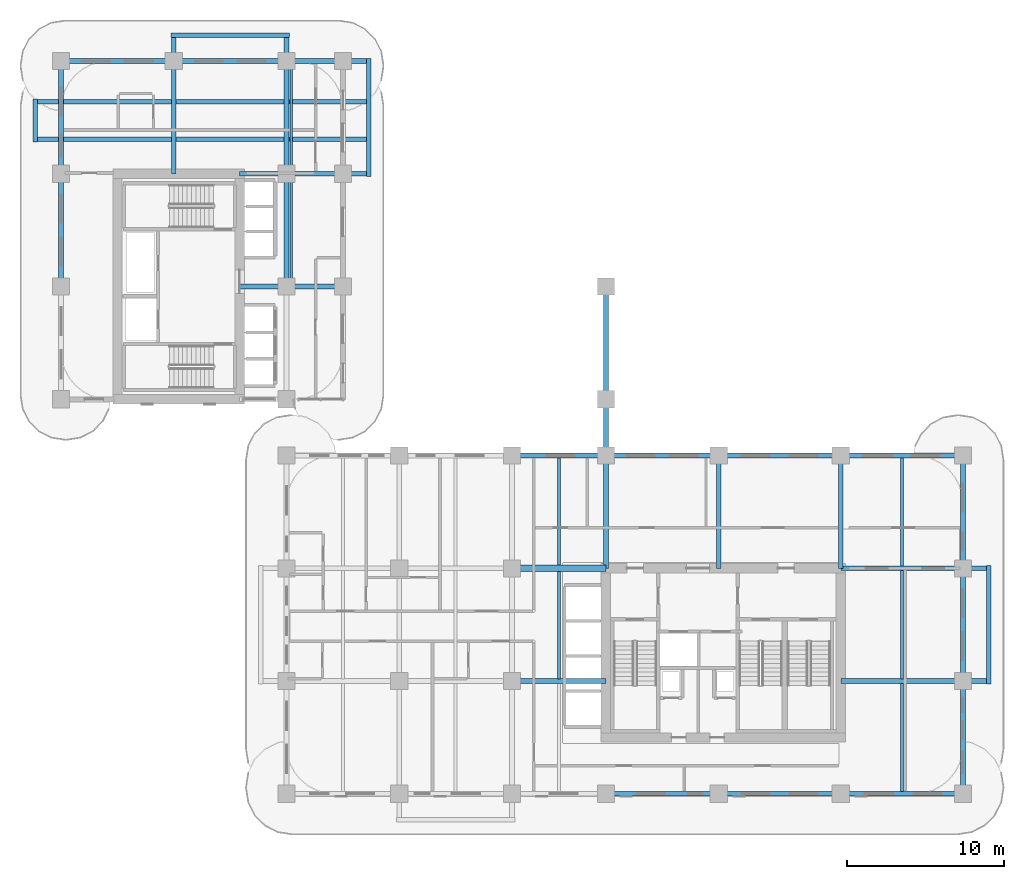
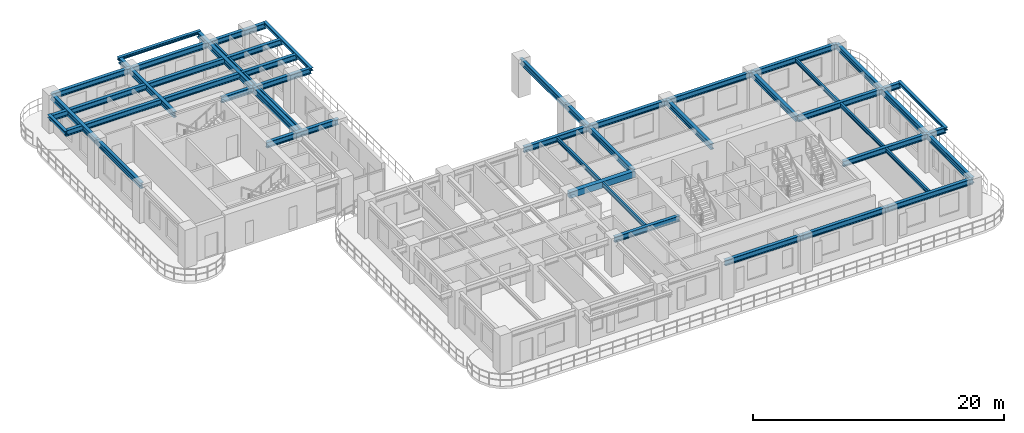
# One storey, part 3 of 19: 41 beams.
"""IFC4 building model written with IfcOpenShell, lengths in metres."""

import ifcopenshell
import ifcopenshell.guid

model = None  # the IFC model being written
_history = None  # IfcOwnerHistory: only IFC2X3 demands one
_inside = {}  # id of a spatial element -> (the spatial element, [elements in it])
_under = {}  # id of a project, library or spatial element -> (it, [spatial elements below it])
_declared = {}  # id of a project -> (the project, [libraries it declares])
_typed = {}  # id of a type object -> (the type object, [elements of that type])
_made_of = {}  # id of a material, layer set ... -> (it, [elements and type objects made of it])


def new_model(schema):
    """Start an empty IFC model of exactly this schema.

    Asked for "IFC4X3", IfcOpenShell would pick the latest addendum, in which some entities
    have other attributes; the version numbers below select the first issue.
    IFC2X3 requires an IfcOwnerHistory on every rooted entity: one is made here for all.
    """
    global model, _history
    if schema == "IFC4X3":
        model = ifcopenshell.file(schema_version=(4, 3, 0, 0))
    else:
        model = ifcopenshell.file(schema=schema)
    _inside.clear()
    _under.clear()
    _declared.clear()
    _typed.clear()
    _made_of.clear()
    _history = None
    if model.schema == "IFC2X3":
        org = make("IfcOrganization", Name="unknown")
        user = make(
            "IfcPersonAndOrganization",
            ThePerson=make("IfcPerson", FamilyName="unknown"),
            TheOrganization=org,
        )
        app = make(
            "IfcApplication",
            ApplicationDeveloper=org,
            Version="unknown",
            ApplicationFullName="unknown",
            ApplicationIdentifier="unknown",
        )
        _history = make(
            "IfcOwnerHistory",
            OwningUser=user,
            OwningApplication=app,
            ChangeAction="ADDED",
            CreationDate=0,
        )
    return model


def make(cls, **values):
    """One entity of the class cls with the attributes given. An attribute that is None is left unset."""
    return model.create_entity(
        cls, **{name: value for name, value in values.items() if value is not None}
    )


def rooted(cls, **values):
    """An entity with a GlobalId (a new one), such as an element, a storey or a relation."""
    return make(cls, GlobalId=ifcopenshell.guid.new(), OwnerHistory=_history, **values)


def si_unit(unit_type, name, prefix=None):
    """IfcSIUnit, for example si_unit("LENGTHUNIT", "METRE", prefix="MILLI")."""
    return make("IfcSIUnit", UnitType=unit_type, Prefix=prefix, Name=name)


def derived_unit(unit_type, elements):
    """IfcDerivedUnit: a product of units, each with its exponent."""
    return make(
        "IfcDerivedUnit",
        Elements=[
            make("IfcDerivedUnitElement", Unit=unit, Exponent=power)
            for unit, power in elements
        ],
        UnitType=unit_type,
    )


def assignment(units):
    """IfcUnitAssignment: the units of a project."""
    return None if units is None else make("IfcUnitAssignment", Units=units)


def point(xyz):
    """IfcCartesianPoint."""
    return None if xyz is None else make("IfcCartesianPoint", Coordinates=xyz)


def direction(xyz):
    """IfcDirection."""
    return None if xyz is None else make("IfcDirection", DirectionRatios=xyz)


def frame(location, z_axis=None, x_axis=None):
    """IfcAxis2Placement3D, a coordinate frame: its origin and axes. An axis left out is left unset."""
    return make(
        "IfcAxis2Placement3D",
        Location=point(location),
        Axis=direction(z_axis),
        RefDirection=direction(x_axis),
    )


def frame_2d(location, x_axis=None):
    """IfcAxis2Placement2D, a coordinate frame in the plane: its origin and x axis."""
    return make(
        "IfcAxis2Placement2D", Location=point(location), RefDirection=direction(x_axis)
    )


def origin():
    """The frame at (0, 0, 0) with its axes left unset."""
    return frame((0.0, 0.0, 0.0))


def origin_2d():
    """The frame at (0, 0) in the plane with its x axis left unset."""
    return frame_2d((0.0, 0.0))


def place(relative_to, where):
    """IfcLocalPlacement: puts the frame where relative to a parent placement (None: the world)."""
    return make(
        "IfcLocalPlacement", PlacementRelTo=relative_to, RelativePlacement=where
    )


def context(
    kind, dimensions, precision=None, world=None, true_north=None, identifier=None
):
    """IfcGeometricRepresentationContext, for example the 3D "Model" context."""
    return make(
        "IfcGeometricRepresentationContext",
        ContextIdentifier=identifier,
        ContextType=kind,
        CoordinateSpaceDimension=dimensions,
        Precision=precision,
        WorldCoordinateSystem=world,
        TrueNorth=true_north,
    )


def subcontext(parent, identifier, kind, view, scale=None):
    """IfcGeometricRepresentationSubContext, for example "Body" below "Model"."""
    return make(
        "IfcGeometricRepresentationSubContext",
        ContextIdentifier=identifier,
        ContextType=kind,
        ParentContext=parent,
        TargetScale=scale,
        TargetView=view,
    )


def project(units=None, contexts=None):
    """IfcProject with its units and contexts."""
    return rooted(
        "IfcProject",
        Name="project",
        RepresentationContexts=contexts,
        UnitsInContext=assignment(units),
    )


def spatial(cls, under=None, at=None, **own):
    """A site, building, storey or space (cls), placed at a placement, below another one or the project."""
    s = rooted(cls, ObjectPlacement=at, **own)
    if under is not None:
        _under.setdefault(under.id(), (under, []))[1].append(s)
    return s


def profile(cls, at=None, kind="AREA", **sizes):
    """A parametric profile (cls). Its sizes go by their IFC names, for example OverallWidth=200.0."""
    return make(cls, ProfileType=kind, Position=at, **sizes)


def rectangle(**sizes):
    """IfcRectangleProfileDef."""
    return profile("IfcRectangleProfileDef", **sizes)


def i_section(**sizes):
    """IfcIShapeProfileDef."""
    return profile("IfcIShapeProfileDef", **sizes)


def extrude(swept, where, along, depth):
    """IfcExtrudedAreaSolid: the profile swept, set in the frame where, extruded along a direction by depth."""
    return make(
        "IfcExtrudedAreaSolid",
        SweptArea=swept,
        Position=where,
        ExtrudedDirection=direction(along),
        Depth=depth,
    )


def shape(context_of_items, identifier, shape_type, items):
    """IfcShapeRepresentation: the items that make up one representation, for example the "Body"."""
    return make(
        "IfcShapeRepresentation",
        ContextOfItems=context_of_items,
        RepresentationIdentifier=identifier,
        RepresentationType=shape_type,
        Items=items,
    )


def source(mapping_origin, context_of_items, identifier, shape_type, items):
    """IfcRepresentationMap: a shape defined once, which mapped items show again and again."""
    return make(
        "IfcRepresentationMap",
        MappingOrigin=mapping_origin,
        MappedRepresentation=shape(context_of_items, identifier, shape_type, items),
    )


def transform(
    local_origin,
    x_axis=None,
    y_axis=None,
    z_axis=None,
    scale=None,
    scale2=None,
    scale3=None,
    uniform=True,
):
    """IfcCartesianTransformationOperator3D, or its non-uniform kind. x_axis, y_axis, z_axis: its Axis1, 2, 3."""
    if uniform:
        return make(
            "IfcCartesianTransformationOperator3D",
            Axis1=direction(x_axis),
            Axis2=direction(y_axis),
            LocalOrigin=point(local_origin),
            Scale=scale,
            Axis3=direction(z_axis),
        )
    return make(
        "IfcCartesianTransformationOperator3DnonUniform",
        Axis1=direction(x_axis),
        Axis2=direction(y_axis),
        LocalOrigin=point(local_origin),
        Scale=scale,
        Axis3=direction(z_axis),
        Scale2=scale2,
        Scale3=scale3,
    )


def mapped(mapping_source, mapping_target):
    """IfcMappedItem: shows the shape of a source again, moved by a transform."""
    return make(
        "IfcMappedItem", MappingSource=mapping_source, MappingTarget=mapping_target
    )


def material(Name=None, Category=None):
    """IfcMaterial."""
    return make("IfcMaterial", Name=Name, Category=Category)


def material_profile(
    of_material, cross_section, Name=None, Category=None, Priority=None
):
    """IfcMaterialProfile: a cross section and its material."""
    return make(
        "IfcMaterialProfile",
        Name=Name,
        Material=of_material,
        Profile=cross_section,
        Priority=Priority,
        Category=Category,
    )


def profile_set(profiles, Name=None, composite=None):
    """IfcMaterialProfileSet."""
    return make(
        "IfcMaterialProfileSet",
        Name=Name,
        MaterialProfiles=profiles,
        CompositeProfile=composite,
    )


def made_of(thing, what):
    """Note that an element or type object is made of a material, layer set ...; save() writes the relation."""
    if what is not None:
        _made_of.setdefault(what.id(), (what, []))[1].append(thing)
    return thing


def type_object(cls, material=None, **own):
    """A type object (cls), such as IfcWallType, which elements share."""
    return made_of(rooted(cls, **own), material)


def type_shapes(of_type, sources):
    """Give a type object the sources (RepresentationMaps) that its elements show as mapped items."""
    of_type.RepresentationMaps = sources


def element(
    cls,
    number,
    at=None,
    inside=None,
    cuts=None,
    type_object=None,
    material=None,
    context=None,
    identifier="Body",
    shape_type=None,
    held_by="IfcProductDefinitionShape",
    body=None,
    shapes=None,
    **own,
):
    """One element of the class cls, such as IfcWall. Its Tag is "e" and its number.

    at: its placement. inside: the storey or other place that contains it. cuts: it is an
    opening in that element (IfcRelVoidsElement). A single representation is given by context,
    identifier, shape_type and body (its items); several are given by shapes. held_by: the class
    of the entity that holds the representations. save() writes the other relations.
    """
    e = rooted(cls, Tag="e%d" % number, ObjectPlacement=at, **own)
    if body is not None:
        shapes = [shape(context, identifier, shape_type, body)]
    if shapes is not None:
        e.Representation = make(held_by, Representations=shapes)
    if inside is not None:
        _inside.setdefault(inside.id(), (inside, []))[1].append(e)
    if cuts is not None:
        rooted(
            "IfcRelVoidsElement", RelatingBuildingElement=cuts, RelatedOpeningElement=e
        )
    if type_object is not None:
        _typed.setdefault(type_object.id(), (type_object, []))[1].append(e)
    return made_of(e, material)


def aggregate(whole, parts):
    """IfcRelAggregates: a whole, such as a stair, and the parts it consists of."""
    return rooted("IfcRelAggregates", RelatingObject=whole, RelatedObjects=parts)


def save(model, path):
    """Write the relations noted so far, then the file.

    IfcRelAggregates (storeys below a building ...), IfcRelContainedInSpatialStructure (elements
    in a storey), IfcRelDefinesByType, IfcRelAssociatesMaterial and IfcRelDeclares: one each for
    every whole, place, type object, material and project.
    """
    for whole, parts in _under.values():
        aggregate(whole, parts)
    for where, things in _inside.values():
        rooted(
            "IfcRelContainedInSpatialStructure",
            RelatedElements=things,
            RelatingStructure=where,
        )
    for kind, things in _typed.values():
        rooted("IfcRelDefinesByType", RelatedObjects=things, RelatingType=kind)
    for what, things in _made_of.values():
        rooted("IfcRelAssociatesMaterial", RelatedObjects=things, RelatingMaterial=what)
    for by, libraries in _declared.values():
        rooted("IfcRelDeclares", RelatingContext=by, RelatedDefinitions=libraries)
    model.write(path)


model = new_model("IFC4")

# Units and contexts
model_context = context("Model", 3, precision=1e-05, world=origin(), true_north=direction((0.0, 1.0)))
body_context = subcontext(model_context, "Body", "Model", "MODEL_VIEW")
ifc_project = project(units=[si_unit("LENGTHUNIT", "METRE"), si_unit("AREAUNIT", "SQUARE_METRE"), si_unit("VOLUMEUNIT", "CUBIC_METRE"), si_unit("PLANEANGLEUNIT", "RADIAN"), si_unit("MASSUNIT", "GRAM", prefix="KILO"), si_unit("THERMODYNAMICTEMPERATUREUNIT", "KELVIN"), si_unit("POWERUNIT", "WATT"), derived_unit("THERMALTRANSMITTANCEUNIT", [(si_unit("POWERUNIT", "WATT"), 1), (si_unit("AREAUNIT", "SQUARE_METRE"), -1), (si_unit("THERMODYNAMICTEMPERATUREUNIT", "KELVIN"), -1)])], contexts=[model_context])

# Site, building, storey
site_placement = place(None, origin())
site = spatial("IfcSite", under=ifc_project, at=site_placement, CompositionType="ELEMENT")
building_placement = place(site_placement, origin())
building = spatial("IfcBuilding", under=site, at=building_placement, Name="Zahravan Archway Hotel and Residences", CompositionType="ELEMENT")
storey_placement = place(building_placement, frame((0.0, 0.0, 47.199951171875)))
storey = spatial("IfcBuildingStorey", under=building, at=storey_placement, Name="L10", CompositionType="ELEMENT", Elevation=47.199951171875)

# Beams
ifc_material_1 = material(Name="Structural Steel S355JR", Category="steel")
ifc_material_profile_1 = material_profile(ifc_material_1, i_section(OverallWidth=0.280029296875, OverallDepth=0.280029296875, WebThickness=0.010498046875, FlangeThickness=0.01806640625, FilletRadius=0.02392578125, at=origin_2d()), Name="HEB 280", Category="steel")
ifc_profile_set_1 = profile_set([ifc_material_profile_1], Name="Structural Steel S355JR")
beam_type_1 = type_object("IfcBeamType", Name="BM-SPN-HEB280", PredefinedType="SPANDREL", material=ifc_profile_set_1)
shared_shape_1 = source(origin(), body_context, "Body", "SweptSolid", [
    extrude(i_section(OverallWidth=0.280029296875, OverallDepth=0.280029296875, WebThickness=0.010498046875, FlangeThickness=0.01806640625, FilletRadius=0.02392578125, at=origin_2d()), origin(), (0.0, 0.0, 1.0), 7.56005859375),
])
type_shapes(beam_type_1, [shared_shape_1])
for number, where, z_axis, x_axis, name in (
    (1, (59.25, 7.02001953125, 3.31005859375), (0.0, 1.0, 0.0), (-1.0, 0.0, 0.0), "L11 EA Balcony Edge Spandrel"),
    (2, (19.64990234375, 39.419921875, 3.31005859375), (0.0, 1.0, 0.0), (-1.0, 0.0, 0.0), "L11 EB Balcony Edge Spandrel"),
    (3, (7.02001953125, 48.449951171875, 3.31005859375), (1.0, 0.0, 0.0), (0.0, 1.0, 0.0), "L11 NB Balcony Edge Spandrel"),
):
    element("IfcBeam", number, at=place(storey_placement, frame(where, z_axis=z_axis, x_axis=x_axis)), inside=storey, type_object=beam_type_1, Name=name, PredefinedType="SPANDREL", context=body_context, shape_type="MappedRepresentation", body=[
        mapped(shared_shape_1, transform((0.0, 0.0, 0.0), scale=1.0)),
    ])
shared_shape_2 = source(origin(), body_context, "Body", "SweptSolid", [
    extrude(i_section(OverallWidth=0.280029296875, OverallDepth=0.280029296875, WebThickness=0.010498046875, FlangeThickness=0.01806640625, FilletRadius=0.02392578125, at=origin_2d()), origin(), (0.0, 0.0, 1.0), 2.759765625),
])
beam_1_placement = place(storey_placement, frame((-1.64990234375, 41.6201171875, 3.31005859375), z_axis=(0.0, 1.0, 0.0), x_axis=(-1.0, 0.0, 0.0)))
element("IfcBeam", 4, at=beam_1_placement, inside=storey, type_object=beam_type_1, Name="L11 WB Balcony Edge Spandrel", PredefinedType="SPANDREL", context=body_context, shape_type="MappedRepresentation", body=[
    mapped(shared_shape_2, transform((0.0, 0.0, 0.0), scale=1.0)),
])
ifc_material_2 = material(Name="Concrete C60/75", Category="concrete")
ifc_material_profile_2 = material_profile(ifc_material_2, rectangle(XDim=0.39990234375, YDim=0.60009765625, at=origin_2d()), Name="RC-LNT-400x600", Category="concrete")
ifc_profile_set_2 = profile_set([ifc_material_profile_2], Name="Concrete C60/75")
beam_type_2 = type_object("IfcBeamType", Name="LNT-RC-400x600", PredefinedType="LINTEL", material=ifc_profile_set_2)
shared_shape_3 = source(origin(), body_context, "Body", "SweptSolid", [
    extrude(rectangle(XDim=0.39990234375, YDim=0.60009765625, at=origin_2d()), origin(), (0.0, 0.0, 1.0), 6.0),
])
type_shapes(beam_type_2, [shared_shape_3])
beam_2_placement = place(storey_placement, frame((28.800048828125, 14.39990234375, 3.150146484375), z_axis=(1.0, 0.0, 0.0), x_axis=(0.0, 1.0, 0.0)))
element("IfcBeam", 5, at=beam_2_placement, inside=storey, type_object=beam_type_2, Name="L10 Core A Coupling Lintel Beam", PredefinedType="LINTEL", context=body_context, shape_type="MappedRepresentation", body=[
    mapped(shared_shape_3, transform((0.0, 0.0, 0.0), scale=1.0)),
])
ifc_material_profile_3 = material_profile(ifc_material_1, i_section(OverallWidth=0.300048828125, OverallDepth=0.550048828125, WebThickness=0.014892578125, FlangeThickness=0.029052734375, FilletRadius=0.027099609375, at=origin_2d()), Name="HEB 550", Category="steel")
ifc_profile_set_3 = profile_set([ifc_material_profile_3], Name="Structural Steel S355JR")
beam_type_3 = type_object("IfcBeamType", Name="BM-PRI-HEB550", PredefinedType="BEAM", material=ifc_profile_set_3)
shared_shape_4 = source(origin(), body_context, "Body", "SweptSolid", [
    extrude(i_section(OverallWidth=0.300048828125, OverallDepth=0.550048828125, WebThickness=0.014892578125, FlangeThickness=0.029052734375, FilletRadius=0.027099609375, at=origin_2d()), origin(), (0.0, 0.0, 1.0), 7.2001953125),
])
type_shapes(beam_type_3, [shared_shape_4])
for number, where, z_axis, x_axis, name in (
    (6, (0.0, 32.39990234375, 3.175048828125), (0.0, 1.0, 0.0), (-1.0, 0.0, 0.0), "L10 Primary Girder NS-28"),
    (7, (14.39990234375, 32.39990234375, 3.175048828125), (0.0, 1.0, 0.0), (-1.0, 0.0, 0.0), "L10 Primary Girder NS-35"),
    (8, (34.800048828125, 14.39990234375, 3.175048828125), (0.0, 1.0, 0.0), (-1.0, 0.0, 0.0), "L10 Primary Girder NS-43"),
    (9, (42.0, 14.39990234375, 3.175048828125), (0.0, 1.0, 0.0), (-1.0, 0.0, 0.0), "L10 Primary Girder NS-46"),
    (10, (49.800048828125, 14.39990234375, 3.175048828125), (0.0, 1.0, 0.0), (-1.0, 0.0, 0.0), "L10 Primary Girder NS-47"),
    (11, (57.60009765625, 14.39990234375, 3.175048828125), (0.0, 1.0, 0.0), (-1.0, 0.0, 0.0), "L10 Primary Girder NS-50"),
):
    element("IfcBeam", number, at=place(storey_placement, frame(where, z_axis=z_axis, x_axis=x_axis)), inside=storey, type_object=beam_type_3, Name=name, PredefinedType="BEAM", context=body_context, shape_type="MappedRepresentation", body=[
        mapped(shared_shape_4, transform((0.0, 0.0, 0.0), scale=1.0)),
    ])
shared_shape_5 = source(origin(), body_context, "Body", "SweptSolid", [
    extrude(i_section(OverallWidth=0.300048828125, OverallDepth=0.550048828125, WebThickness=0.014892578125, FlangeThickness=0.029052734375, FilletRadius=0.027099609375, at=origin_2d()), origin(), (0.0, 0.0, 1.0), 7.199951171875),
])
for number, where, z_axis, x_axis, name in (
    (12, (34.800048828125, 0.0, 3.175048828125), (1.0, 0.0, 0.0), (0.0, 1.0, 0.0), "L10 Primary Girder EW-04"),
    (13, (34.800048828125, 21.60009765625, 3.175048828125), (1.0, 0.0, 0.0), (0.0, 1.0, 0.0), "L10 Primary Girder EW-17"),
    (14, (0.0, 46.800048828125, 3.175048828125), (1.0, 0.0, 0.0), (0.0, 1.0, 0.0), "L10 Primary Girder EW-23"),
    (15, (0.0, 39.60009765625, 3.175048828125), (0.0, 1.0, 0.0), (-1.0, 0.0, 0.0), "L10 Primary Girder NS-29"),
    (16, (34.800048828125, 25.199951171875, 3.175048828125), (0.0, 1.0, 0.0), (-1.0, 0.0, 0.0), "L10 Primary Girder NS-45"),
    (17, (57.60009765625, 0.0, 3.175048828125), (0.0, 1.0, 0.0), (-1.0, 0.0, 0.0), "L10 Primary Girder NS-48"),
    (18, (57.60009765625, 7.199951171875, 3.175048828125), (0.0, 1.0, 0.0), (-1.0, 0.0, 0.0), "L10 Primary Girder NS-49"),
):
    element("IfcBeam", number, at=place(storey_placement, frame(where, z_axis=z_axis, x_axis=x_axis)), inside=storey, type_object=beam_type_3, Name=name, PredefinedType="BEAM", context=body_context, shape_type="MappedRepresentation", body=[
        mapped(shared_shape_5, transform((0.0, 0.0, 0.0), scale=1.0)),
    ])
shared_shape_6 = source(origin(), body_context, "Body", "SweptSolid", [
    extrude(i_section(OverallWidth=0.300048828125, OverallDepth=0.550048828125, WebThickness=0.014892578125, FlangeThickness=0.029052734375, FilletRadius=0.027099609375, at=origin_2d()), origin(), (0.0, 0.0, 1.0), 6.0),
])
for number, where, z_axis, x_axis, name in (
    (19, (28.800048828125, 7.199951171875, 3.175048828125), (1.0, 0.0, 0.0), (0.0, 1.0, 0.0), "L10 Primary Girder EW-09"),
    (20, (28.800048828125, 21.60009765625, 3.175048828125), (1.0, 0.0, 0.0), (0.0, 1.0, 0.0), "L10 Primary Girder EW-16"),
):
    element("IfcBeam", number, at=place(storey_placement, frame(where, z_axis=z_axis, x_axis=x_axis)), inside=storey, type_object=beam_type_3, Name=name, PredefinedType="BEAM", context=body_context, shape_type="MappedRepresentation", body=[
        mapped(shared_shape_6, transform((0.0, 0.0, 0.0), scale=1.0)),
    ])
shared_shape_7 = source(origin(), body_context, "Body", "SweptSolid", [
    extrude(i_section(OverallWidth=0.300048828125, OverallDepth=0.550048828125, WebThickness=0.014892578125, FlangeThickness=0.029052734375, FilletRadius=0.027099609375, at=origin_2d()), origin(), (0.0, 0.0, 1.0), 7.800048828125),
])
for number, where, z_axis, x_axis, name in (
    (21, (42.0, 0.0, 3.175048828125), (1.0, 0.0, 0.0), (0.0, 1.0, 0.0), "L10 Primary Girder EW-05"),
    (22, (49.800048828125, 0.0, 3.175048828125), (1.0, 0.0, 0.0), (0.0, 1.0, 0.0), "L10 Primary Girder EW-06"),
    (23, (42.0, 21.60009765625, 3.175048828125), (1.0, 0.0, 0.0), (0.0, 1.0, 0.0), "L10 Primary Girder EW-18"),
    (24, (49.800048828125, 21.60009765625, 3.175048828125), (1.0, 0.0, 0.0), (0.0, 1.0, 0.0), "L10 Primary Girder EW-19"),
):
    element("IfcBeam", number, at=place(storey_placement, frame(where, z_axis=z_axis, x_axis=x_axis)), inside=storey, type_object=beam_type_3, Name=name, PredefinedType="BEAM", context=body_context, shape_type="MappedRepresentation", body=[
        mapped(shared_shape_7, transform((0.0, 0.0, 0.0), scale=1.0)),
    ])
shared_shape_8 = source(origin(), body_context, "Body", "SweptSolid", [
    extrude(i_section(OverallWidth=0.300048828125, OverallDepth=0.550048828125, WebThickness=0.014892578125, FlangeThickness=0.029052734375, FilletRadius=0.027099609375, at=origin_2d()), origin(), (0.0, 0.0, 1.0), 9.449951171875),
])
for number, where, z_axis, x_axis, name in (
    (25, (49.800048828125, 7.199951171875, 3.175048828125), (1.0, 0.0, 0.0), (0.0, 1.0, 0.0), "L10 Primary Girder EW-10"),
    (26, (49.800048828125, 14.39990234375, 3.175048828125), (1.0, 0.0, 0.0), (0.0, 1.0, 0.0), "L10 Primary Girder EW-13"),
):
    element("IfcBeam", number, at=place(storey_placement, frame(where, z_axis=z_axis, x_axis=x_axis)), inside=storey, type_object=beam_type_3, Name=name, PredefinedType="BEAM", context=body_context, shape_type="MappedRepresentation", body=[
        mapped(shared_shape_8, transform((0.0, 0.0, 0.0), scale=1.0)),
    ])
shared_shape_9 = source(origin(), body_context, "Body", "SweptSolid", [
    extrude(i_section(OverallWidth=0.300048828125, OverallDepth=0.550048828125, WebThickness=0.014892578125, FlangeThickness=0.029052734375, FilletRadius=0.027099609375, at=origin_2d()), origin(), (0.0, 0.0, 1.0), 6.60009765625),
])
beam_3_placement = place(storey_placement, frame((11.39990234375, 32.39990234375, 3.175048828125), z_axis=(1.0, 0.0, 0.0), x_axis=(0.0, 1.0, 0.0)))
element("IfcBeam", 27, at=beam_3_placement, inside=storey, type_object=beam_type_3, Name="L10 Primary Girder EW-21", PredefinedType="BEAM", context=body_context, shape_type="MappedRepresentation", body=[
    mapped(shared_shape_9, transform((0.0, 0.0, 0.0), scale=1.0)),
])
shared_shape_10 = source(origin(), body_context, "Body", "SweptSolid", [
    extrude(i_section(OverallWidth=0.300048828125, OverallDepth=0.550048828125, WebThickness=0.014892578125, FlangeThickness=0.029052734375, FilletRadius=0.027099609375, at=origin_2d()), origin(), (0.0, 0.0, 1.0), 8.25),
])
beam_4_placement = place(storey_placement, frame((11.39990234375, 39.60009765625, 3.175048828125), z_axis=(1.0, 0.0, 0.0), x_axis=(0.0, 1.0, 0.0)))
element("IfcBeam", 28, at=beam_4_placement, inside=storey, type_object=beam_type_3, Name="L10 Primary Girder EW-22", PredefinedType="BEAM", context=body_context, shape_type="MappedRepresentation", body=[
    mapped(shared_shape_10, transform((0.0, 0.0, 0.0), scale=1.0)),
])
shared_shape_11 = source(origin(), body_context, "Body", "SweptSolid", [
    extrude(i_section(OverallWidth=0.300048828125, OverallDepth=0.550048828125, WebThickness=0.014892578125, FlangeThickness=0.029052734375, FilletRadius=0.027099609375, at=origin_2d()), origin(), (0.0, 0.0, 1.0), 12.449951171875),
])
beam_5_placement = place(storey_placement, frame((7.199951171875, 46.800048828125, 3.175048828125), z_axis=(1.0, 0.0, 0.0), x_axis=(0.0, 1.0, 0.0)))
element("IfcBeam", 29, at=beam_5_placement, inside=storey, type_object=beam_type_3, Name="L10 Primary Girder EW-24", PredefinedType="BEAM", context=body_context, shape_type="MappedRepresentation", body=[
    mapped(shared_shape_11, transform((0.0, 0.0, 0.0), scale=1.0)),
])
shared_shape_12 = source(origin(), body_context, "Body", "SweptSolid", [
    extrude(i_section(OverallWidth=0.300048828125, OverallDepth=0.550048828125, WebThickness=0.014892578125, FlangeThickness=0.029052734375, FilletRadius=0.027099609375, at=origin_2d()), origin(), (0.0, 0.0, 1.0), 21.2998046875),
])
for number, where, z_axis, x_axis, name in (
    (30, (-1.64990234375, 41.800048828125, 3.175048828125), (1.0, 0.0, 0.0), (0.0, 1.0, 0.0), "L10 Primary Girder EW-25"),
    (31, (-1.64990234375, 44.199951171875, 3.175048828125), (1.0, 0.0, 0.0), (0.0, 1.0, 0.0), "L10 Primary Girder EW-26"),
):
    element("IfcBeam", number, at=place(storey_placement, frame(where, z_axis=z_axis, x_axis=x_axis)), inside=storey, type_object=beam_type_3, Name=name, PredefinedType="BEAM", context=body_context, shape_type="MappedRepresentation", body=[
        mapped(shared_shape_12, transform((0.0, 0.0, 0.0), scale=1.0)),
    ])
shared_shape_13 = source(origin(), body_context, "Body", "SweptSolid", [
    extrude(i_section(OverallWidth=0.300048828125, OverallDepth=0.550048828125, WebThickness=0.014892578125, FlangeThickness=0.029052734375, FilletRadius=0.027099609375, at=origin_2d()), origin(), (0.0, 0.0, 1.0), 8.849853515625),
])
for number, where, z_axis, x_axis, name in (
    (32, (7.199951171875, 39.60009765625, 3.175048828125), (0.0, 1.0, 0.0), (-1.0, 0.0, 0.0), "L10 Primary Girder NS-30"),
    (33, (14.39990234375, 39.60009765625, 3.175048828125), (0.0, 1.0, 0.0), (-1.0, 0.0, 0.0), "L10 Primary Girder NS-36"),
):
    element("IfcBeam", number, at=place(storey_placement, frame(where, z_axis=z_axis, x_axis=x_axis)), inside=storey, type_object=beam_type_3, Name=name, PredefinedType="BEAM", context=body_context, shape_type="MappedRepresentation", body=[
        mapped(shared_shape_13, transform((0.0, 0.0, 0.0), scale=1.0)),
    ])
shared_shape_14 = source(origin(), body_context, "Body", "SweptSolid", [
    extrude(i_section(OverallWidth=0.300048828125, OverallDepth=0.550048828125, WebThickness=0.014892578125, FlangeThickness=0.029052734375, FilletRadius=0.027099609375, at=origin_2d()), origin(), (0.0, 0.0, 1.0), 3.599853515625),
])
beam_6_placement = place(storey_placement, frame((34.800048828125, 21.60009765625, 3.175048828125), z_axis=(0.0, 1.0, 0.0), x_axis=(-1.0, 0.0, 0.0)))
element("IfcBeam", 34, at=beam_6_placement, inside=storey, type_object=beam_type_3, Name="L10 Primary Girder NS-44", PredefinedType="BEAM", context=body_context, shape_type="MappedRepresentation", body=[
    mapped(shared_shape_14, transform((0.0, 0.0, 0.0), scale=1.0)),
])
ifc_material_profile_4 = material_profile(ifc_material_1, i_section(OverallWidth=0.179931640625, OverallDepth=0.39990234375, WebThickness=0.008544921875, FlangeThickness=0.013427734375, FilletRadius=0.02099609375, at=origin_2d()), Name="IPE 400", Category="steel")
ifc_profile_set_4 = profile_set([ifc_material_profile_4], Name="Structural Steel S355JR")
beam_type_4 = type_object("IfcBeamType", Name="BM-JST-IPE400", PredefinedType="JOIST", material=ifc_profile_set_4)
shared_shape_15 = source(origin(), body_context, "Body", "SweptSolid", [
    extrude(i_section(OverallWidth=0.179931640625, OverallDepth=0.39990234375, WebThickness=0.008544921875, FlangeThickness=0.013427734375, FilletRadius=0.02099609375, at=origin_2d()), origin(), (0.0, 0.0, 1.0), 6.904052734375),
])
type_shapes(beam_type_4, [shared_shape_15])
for number, where, z_axis, x_axis, name in (
    (35, (53.699951171875, 0.14794921875, 3.25), (0.0, 1.0, 0.0), (-1.0, 0.0, 0.0), "L10 Composite Floor Joist 04"),
    (36, (53.699951171875, 7.347900390625, 3.25), (0.0, 1.0, 0.0), (-1.0, 0.0, 0.0), "L10 Composite Floor Joist 08"),
    (37, (14.699951171875, 39.748046875, 3.25), (0.0, 1.0, 0.0), (-1.0, 0.0, 0.0), "L10 Composite Floor Joist 14"),
):
    element("IfcBeam", number, at=place(storey_placement, frame(where, z_axis=z_axis, x_axis=x_axis)), inside=storey, type_object=beam_type_4, Name=name, PredefinedType="JOIST", context=body_context, shape_type="MappedRepresentation", body=[
        mapped(shared_shape_15, transform((0.0, 0.0, 0.0), scale=1.0)),
    ])
shared_shape_16 = source(origin(), body_context, "Body", "SweptSolid", [
    extrude(i_section(OverallWidth=0.179931640625, OverallDepth=0.39990234375, WebThickness=0.008544921875, FlangeThickness=0.013427734375, FilletRadius=0.02099609375, at=origin_2d()), origin(), (0.0, 0.0, 1.0), 6.85400390625),
])
for number, where, z_axis, x_axis, name in (
    (38, (31.800048828125, 7.347900390625, 3.25), (0.0, 1.0, 0.0), (-1.0, 0.0, 0.0), "L10 Composite Floor Joist 07"),
    (39, (31.800048828125, 14.597900390625, 3.25), (0.0, 1.0, 0.0), (-1.0, 0.0, 0.0), "L10 Composite Floor Joist 09"),
):
    element("IfcBeam", number, at=place(storey_placement, frame(where, z_axis=z_axis, x_axis=x_axis)), inside=storey, type_object=beam_type_4, Name=name, PredefinedType="JOIST", context=body_context, shape_type="MappedRepresentation", body=[
        mapped(shared_shape_16, transform((0.0, 0.0, 0.0), scale=1.0)),
    ])
shared_shape_17 = source(origin(), body_context, "Body", "SweptSolid", [
    extrude(i_section(OverallWidth=0.179931640625, OverallDepth=0.39990234375, WebThickness=0.008544921875, FlangeThickness=0.013427734375, FilletRadius=0.02099609375, at=origin_2d()), origin(), (0.0, 0.0, 1.0), 6.90380859375),
])
for number, where, z_axis, x_axis, name in (
    (40, (53.699951171875, 14.548095703125, 3.25), (0.0, 1.0, 0.0), (-1.0, 0.0, 0.0), "L10 Composite Floor Joist 12"),
    (41, (14.699951171875, 32.548095703125, 3.25), (0.0, 1.0, 0.0), (-1.0, 0.0, 0.0), "L10 Composite Floor Joist 13"),
):
    element("IfcBeam", number, at=place(storey_placement, frame(where, z_axis=z_axis, x_axis=x_axis)), inside=storey, type_object=beam_type_4, Name=name, PredefinedType="JOIST", context=body_context, shape_type="MappedRepresentation", body=[
        mapped(shared_shape_17, transform((0.0, 0.0, 0.0), scale=1.0)),
    ])

save(model, "model.ifc")
